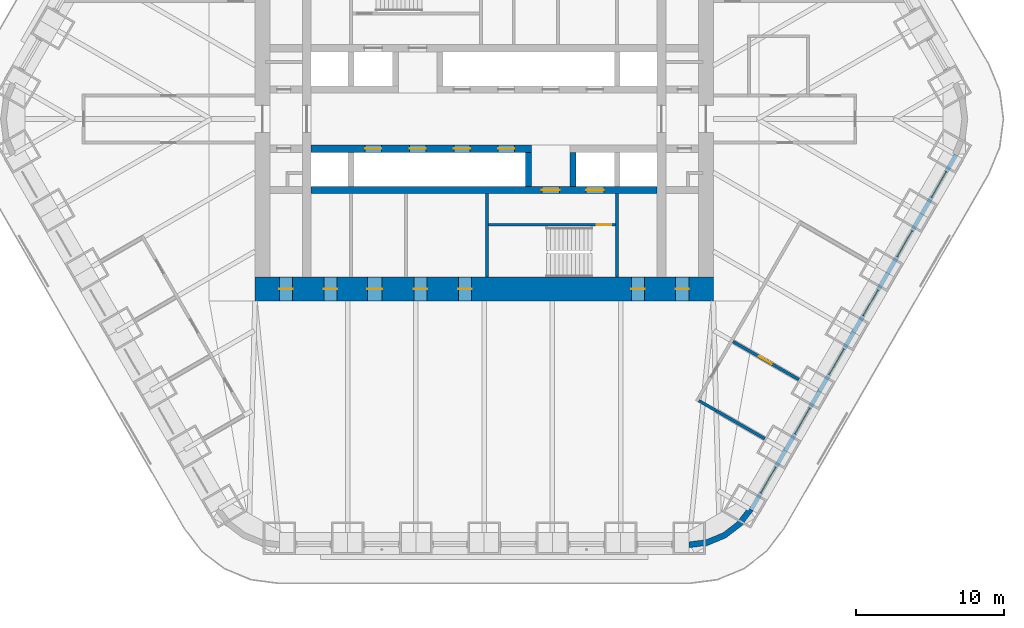
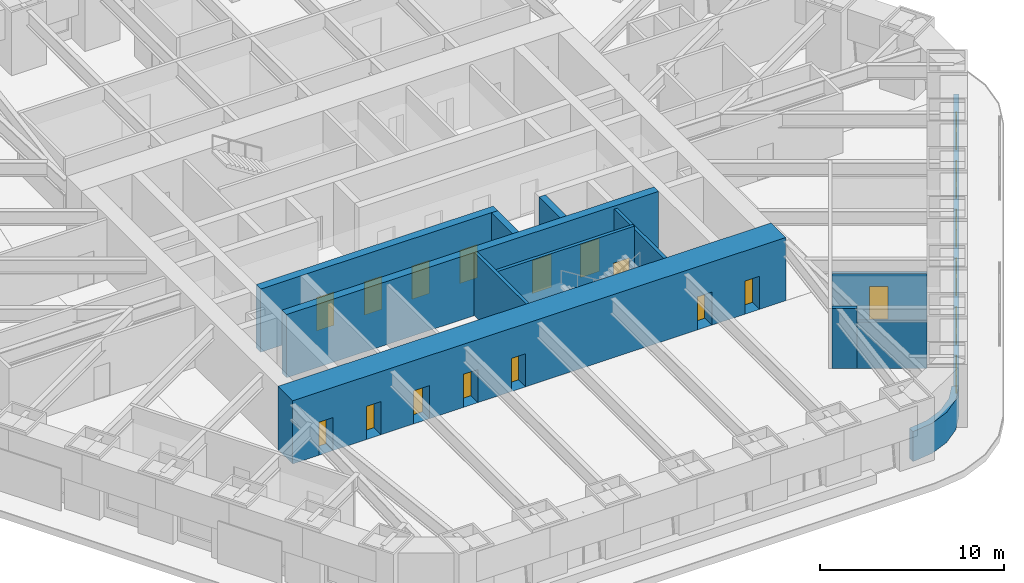
# One storey, part 15 of 20: 15 doors, 13 walls, 6 windows, 21 openings.
"""IFC4 building model written with IfcOpenShell, lengths in metres."""

from ifc_helpers import new_model, si_unit, direction, frame, frame_2d, origin, place, context, subcontext, project, spatial, polyline, rectangle, outline, extrude, material, layer, layer_set, type_object, element, fill, save


model = new_model("IFC4")

# Units and contexts
model_context = context("Model", 3, precision=1e-05, world=origin(), true_north=direction((0.0, 1.0)))
body_context = subcontext(model_context, "Body", "Model", "MODEL_VIEW")
ifc_project = project(units=[si_unit("LENGTHUNIT", "METRE"), si_unit("AREAUNIT", "SQUARE_METRE"), si_unit("VOLUMEUNIT", "CUBIC_METRE"), si_unit("PLANEANGLEUNIT", "RADIAN"), si_unit("MASSUNIT", "GRAM", prefix="KILO")], contexts=[model_context])

# Site, building, storey
site_placement = place(None, origin())
site = spatial("IfcSite", under=ifc_project, at=site_placement, CompositionType="ELEMENT")
building_placement = place(site_placement, origin())
building = spatial("IfcBuilding", under=site, at=building_placement, Name="Tarfa Lantern Tower", CompositionType="ELEMENT")
storey_placement = place(building_placement, frame((0.0, 0.0, 215.5)))
storey = spatial("IfcBuildingStorey", under=building, at=storey_placement, Name="L48", CompositionType="ELEMENT", Elevation=215.5)

# Wall, openings, windows
ifc_material_1 = material(Name="Limestone cladding on blockwork", Category="masonry")
ifc_layer_1 = layer(ifc_material_1, 0.300048828125)
ifc_layer_set_1 = layer_set([ifc_layer_1], Name="EW1 STONE-CLAD WALL 300")
wall_type_1 = type_object("IfcWallType", Name="EW1 STONE-CLAD WALL 300", PredefinedType="SOLIDWALL", material=ifc_layer_set_1)
wall_1_placement = place(storey_placement, frame((18.056640625, -26.425048828125, 0.0), z_axis=(0.0, 0.0, 1.0), x_axis=(0.500001051461, 0.866024796723, 0.0)))
wall_1 = element("IfcWall", 1, at=wall_1_placement, inside=storey, type_object=wall_type_1, Name="Stone wall SE", PredefinedType="SOLIDWALL", context=body_context, shape_type="SweptSolid", body=[
    extrude(rectangle(XDim=27.712890625, YDim=0.300048828125, at=frame_2d((13.8564453125, 0.0))), origin(), (0.0, 0.0, 1.0), 2.0),
])
opening_1_placement = place(wall_1_placement, frame((1.309326171875, 0.0, 0.60009765625)))
opening_1 = element("IfcOpeningElement", 2, at=opening_1_placement, cuts=wall_1, Name="Opening W12", PredefinedType="OPENING", context=body_context, shape_type="SweptSolid", body=[
    extrude(rectangle(XDim=2.0, YDim=1.14990234375, at=frame_2d((1.0, 0.574951171875))), frame((0.0, 0.159912109375, 0.0), z_axis=(0.0, -1.0, 0.0), x_axis=(1.0, 0.0, 0.0)), (0.0, 0.0, 1.0), 0.320068359375),
])
opening_2_placement = place(wall_1_placement, frame((5.92822265625, 0.0, 0.60009765625)))
opening_2 = element("IfcOpeningElement", 3, at=opening_2_placement, cuts=wall_1, Name="Opening W12", PredefinedType="OPENING", context=body_context, shape_type="SweptSolid", body=[
    extrude(rectangle(XDim=2.0, YDim=1.14990234375, at=frame_2d((1.0, 0.574951171875))), frame((0.0, 0.159912109375, 0.0), z_axis=(0.0, -1.0, 0.0), x_axis=(1.0, 0.0, 0.0)), (0.0, 0.0, 1.0), 0.320068359375),
])
opening_3_placement = place(wall_1_placement, frame((10.547119140625, 0.0, 0.60009765625)))
opening_3 = element("IfcOpeningElement", 4, at=opening_3_placement, cuts=wall_1, Name="Opening W12", PredefinedType="OPENING", context=body_context, shape_type="SweptSolid", body=[
    extrude(rectangle(XDim=2.0, YDim=1.14990234375, at=frame_2d((1.0, 0.574951171875))), frame((0.0, 0.159912109375, 0.0), z_axis=(0.0, -1.0, 0.0), x_axis=(1.0, 0.0, 0.0)), (0.0, 0.0, 1.0), 0.320068359375),
])
opening_4_placement = place(wall_1_placement, frame((15.165771484375, 0.0, 0.60009765625)))
opening_4 = element("IfcOpeningElement", 5, at=opening_4_placement, cuts=wall_1, Name="Opening W12", PredefinedType="OPENING", context=body_context, shape_type="SweptSolid", body=[
    extrude(rectangle(XDim=2.0, YDim=1.14990234375, at=frame_2d((1.0, 0.574951171875))), frame((0.0, 0.159912109375, 0.0), z_axis=(0.0, -1.0, 0.0), x_axis=(1.0, 0.0, 0.0)), (0.0, 0.0, 1.0), 0.320068359375),
])
opening_5_placement = place(wall_1_placement, frame((19.78466796875, 0.0, 0.60009765625)))
opening_5 = element("IfcOpeningElement", 6, at=opening_5_placement, cuts=wall_1, Name="Opening W12", PredefinedType="OPENING", context=body_context, shape_type="SweptSolid", body=[
    extrude(rectangle(XDim=2.0, YDim=1.14990234375, at=frame_2d((1.0, 0.574951171875))), frame((0.0, 0.159912109375, 0.0), z_axis=(0.0, -1.0, 0.0), x_axis=(1.0, 0.0, 0.0)), (0.0, 0.0, 1.0), 0.320068359375),
])
opening_6_placement = place(wall_1_placement, frame((24.4033203125, 0.0, 0.60009765625)))
opening_6 = element("IfcOpeningElement", 7, at=opening_6_placement, cuts=wall_1, Name="Opening W12", PredefinedType="OPENING", context=body_context, shape_type="SweptSolid", body=[
    extrude(rectangle(XDim=2.0, YDim=1.14990234375, at=frame_2d((1.0, 0.574951171875))), frame((0.0, 0.159912109375, 0.0), z_axis=(0.0, -1.0, 0.0), x_axis=(1.0, 0.0, 0.0)), (0.0, 0.0, 1.0), 0.320068359375),
])
ifc_material_2 = material(Name="Aluminium frame, double glazed", Category="aluminium")
window_type = type_object("IfcWindowType", Name="W12 FULL-HEIGHT GLAZING 2000x1150", PartitioningType="SINGLE_PANEL", PredefinedType="WINDOW", material=ifc_material_2)
window_1_placement = place(opening_1_placement, origin())
window_1 = element("IfcWindow", 8, at=window_1_placement, inside=storey, type_object=window_type, Name="Window SE 1", OverallHeight=1.14990234375, OverallWidth=2.0, PartitioningType="SINGLE_PANEL", PredefinedType="WINDOW", context=body_context, shape_type="SweptSolid", body=[
    extrude(rectangle(XDim=2.0, YDim=1.14990234375, at=frame_2d((1.0, 0.574951171875))), frame((0.0, 0.030029296875, 0.0), z_axis=(0.0, -1.0, 0.0), x_axis=(1.0, 0.0, 0.0)), (0.0, 0.0, 1.0), 0.06005859375),
])
fill(opening_1, window_1)
window_2_placement = place(opening_2_placement, origin())
window_2 = element("IfcWindow", 9, at=window_2_placement, inside=storey, type_object=window_type, Name="Window SE 2", OverallHeight=1.14990234375, OverallWidth=2.0, PartitioningType="SINGLE_PANEL", PredefinedType="WINDOW", context=body_context, shape_type="SweptSolid", body=[
    extrude(rectangle(XDim=2.0, YDim=1.14990234375, at=frame_2d((1.0, 0.574951171875))), frame((0.0, 0.030029296875, 0.0), z_axis=(0.0, -1.0, 0.0), x_axis=(1.0, 0.0, 0.0)), (0.0, 0.0, 1.0), 0.06005859375),
])
fill(opening_2, window_2)
window_3_placement = place(opening_3_placement, origin())
window_3 = element("IfcWindow", 10, at=window_3_placement, inside=storey, type_object=window_type, Name="Window SE 3", OverallHeight=1.14990234375, OverallWidth=2.0, PartitioningType="SINGLE_PANEL", PredefinedType="WINDOW", context=body_context, shape_type="SweptSolid", body=[
    extrude(rectangle(XDim=2.0, YDim=1.14990234375, at=frame_2d((1.0, 0.574951171875))), frame((0.0, 0.030029296875, 0.0), z_axis=(0.0, -1.0, 0.0), x_axis=(1.0, 0.0, 0.0)), (0.0, 0.0, 1.0), 0.06005859375),
])
fill(opening_3, window_3)
window_4_placement = place(opening_4_placement, origin())
window_4 = element("IfcWindow", 11, at=window_4_placement, inside=storey, type_object=window_type, Name="Window SE 4", OverallHeight=1.14990234375, OverallWidth=2.0, PartitioningType="SINGLE_PANEL", PredefinedType="WINDOW", context=body_context, shape_type="SweptSolid", body=[
    extrude(rectangle(XDim=2.0, YDim=1.14990234375, at=frame_2d((1.0, 0.574951171875))), frame((0.0, 0.030029296875, 0.0), z_axis=(0.0, -1.0, 0.0), x_axis=(1.0, 0.0, 0.0)), (0.0, 0.0, 1.0), 0.06005859375),
])
fill(opening_4, window_4)
window_5_placement = place(opening_5_placement, origin())
window_5 = element("IfcWindow", 12, at=window_5_placement, inside=storey, type_object=window_type, Name="Window SE 5", OverallHeight=1.14990234375, OverallWidth=2.0, PartitioningType="SINGLE_PANEL", PredefinedType="WINDOW", context=body_context, shape_type="SweptSolid", body=[
    extrude(rectangle(XDim=2.0, YDim=1.14990234375, at=frame_2d((1.0, 0.574951171875))), frame((0.0, 0.030029296875, 0.0), z_axis=(0.0, -1.0, 0.0), x_axis=(1.0, 0.0, 0.0)), (0.0, 0.0, 1.0), 0.06005859375),
])
fill(opening_5, window_5)
window_6_placement = place(opening_6_placement, origin())
window_6 = element("IfcWindow", 13, at=window_6_placement, inside=storey, type_object=window_type, Name="Window SE 6", OverallHeight=1.14990234375, OverallWidth=2.0, PartitioningType="SINGLE_PANEL", PredefinedType="WINDOW", context=body_context, shape_type="SweptSolid", body=[
    extrude(rectangle(XDim=2.0, YDim=1.14990234375, at=frame_2d((1.0, 0.574951171875))), frame((0.0, 0.030029296875, 0.0), z_axis=(0.0, -1.0, 0.0), x_axis=(1.0, 0.0, 0.0)), (0.0, 0.0, 1.0), 0.06005859375),
])
fill(opening_6, window_6)

# Walls
ifc_layer_2 = layer(ifc_material_1, 0.39990234375)
ifc_layer_set_2 = layer_set([ifc_layer_2], Name="EW2 CURVED STONE CORNER 400")
wall_type_2 = type_object("IfcWallType", Name="EW2 CURVED STONE CORNER 400", PredefinedType="SOLIDWALL", material=ifc_layer_set_2)
wall_2_placement = place(storey_placement, origin())
element("IfcWall", 14, at=wall_2_placement, inside=storey, type_object=wall_type_2, Name="Stone corner S-SE", PredefinedType="SOLIDWALL", context=body_context, shape_type="SweptSolid", body=[
    extrude(outline(polyline([(13.8564453125, -29.0), (15.150390625, -28.82958984375), (16.3564453125, -28.330078125), (17.391845703125, -27.53564453125), (18.1865234375, -26.5), (17.840087890625, -26.300048828125), (17.109130859375, -27.252685546875), (16.156494140625, -27.983642578125), (15.046875, -28.443359375), (13.8564453125, -28.60009765625), (13.8564453125, -29.0)])), origin(), (0.0, 0.0, 1.0), 2.0),
])
ifc_material_3 = material(Name="Concrete blockwork", Category="masonry")
ifc_layer_3 = layer(ifc_material_3, 0.199951171875)
ifc_layer_set_3 = layer_set([ifc_layer_3], Name="IW1 BLOCKWORK PARTITION 200 EI 120")
wall_type_3 = type_object("IfcWallType", Name="IW1 BLOCKWORK PARTITION 200 EI 120", PredefinedType="PARTITIONING", material=ifc_layer_set_3)
wall_3_placement = place(storey_placement, frame((9.0, -5.050048828125, 0.0), z_axis=(0.0, 0.0, 1.0), x_axis=(0.0, -1.0, 0.0)))
element("IfcWall", 15, at=wall_3_placement, inside=storey, type_object=wall_type_3, Name="Core partition", PredefinedType="PARTITIONING", context=body_context, shape_type="SweptSolid", body=[
    extrude(rectangle(XDim=5.64990234375, YDim=0.199951171875, at=frame_2d((2.824951171875, 0.0))), origin(), (0.0, 0.0, 1.0), 4.0),
])
ifc_material_4 = material(Name="Gypsum board on steel studs", Category="steel")
ifc_layer_4 = layer(ifc_material_4, 0.2099609375)
ifc_layer_set_4 = layer_set([ifc_layer_4], Name="IW2 ACOUSTIC PARTITION 200")
wall_type_4 = type_object("IfcWallType", Name="IW2 ACOUSTIC PARTITION 200", PredefinedType="PARTITIONING", material=ifc_layer_set_4)
wall_4_placement = place(storey_placement, frame((14.520263671875, -19.050048828125, 0.0), z_axis=(0.0, 0.0, 1.0), x_axis=(0.866041729639, -0.499971721724, 0.0)))
element("IfcWall", 16, at=wall_4_placement, inside=storey, type_object=wall_type_4, Name="Partition", PredefinedType="PARTITIONING", context=body_context, shape_type="SweptSolid", body=[
    extrude(rectangle(XDim=1.3564453125, YDim=0.199951171875, at=frame_2d((0.67822265625, 0.0))), origin(), (0.0, 0.0, 1.0), 4.0),
])
wall_5_placement = place(storey_placement, frame((15.695068359375, -19.728271484375, 0.0), z_axis=(0.0, 0.0, 1.0), x_axis=(0.866036622013, -0.499980568954, 0.0)))
element("IfcWall", 17, at=wall_5_placement, inside=storey, type_object=wall_type_4, Name="Partition", PredefinedType="PARTITIONING", context=body_context, shape_type="SweptSolid", body=[
    extrude(rectangle(XDim=3.793701171875, YDim=0.199951171875, at=frame_2d((1.89697265625, 0.0))), origin(), (0.0, 0.0, 1.0), 3.08154296875),
])

# Wall, opening, door
wall_6_placement = place(storey_placement, frame((16.829833984375, -15.050048828125, 0.0), z_axis=(0.0, 0.0, 1.0), x_axis=(0.866026116456, -0.499998765615, 0.0)))
wall_6 = element("IfcWall", 18, at=wall_6_placement, inside=storey, type_object=wall_type_4, Name="Partition", PredefinedType="PARTITIONING", context=body_context, shape_type="SweptSolid", body=[
    extrude(rectangle(XDim=5.14990234375, YDim=0.199951171875, at=frame_2d((2.574951171875, 0.0))), origin(), (0.0, 0.0, 1.0), 3.08154296875),
])
opening_7_placement = place(wall_6_placement, frame((2.02490234375, 0.0, 0.0)))
opening_7 = element("IfcOpeningElement", 19, at=opening_7_placement, cuts=wall_6, Name="Opening D29", PredefinedType="OPENING", context=body_context, shape_type="SweptSolid", body=[
    extrude(rectangle(XDim=1.0, YDim=2.199951171875, at=frame_2d((0.5, 1.10009765625))), frame((0.0, 0.10986328125, 0.0), z_axis=(0.0, -1.0, 0.0), x_axis=(1.0, 0.0, 0.0)), (0.0, 0.0, 1.0), 0.219970703125),
])
ifc_material_5 = material(Name="Timber door", Category="wood")
door_type_1 = type_object("IfcDoorType", Name="DR1 ROOM DOOR 1000x2200", OperationType="SINGLE_SWING_LEFT", PredefinedType="DOOR", material=ifc_material_5)
door_1_placement = place(opening_7_placement, frame((1.0, 0.0, 0.0), z_axis=(0.0, 0.0, 1.0), x_axis=(-1.0, 0.0, 0.0)))
door_1 = element("IfcDoor", 20, at=door_1_placement, inside=storey, type_object=door_type_1, Name="Majlis door", OperationType="SINGLE_SWING_LEFT", OverallHeight=2.199951171875, OverallWidth=1.0, PredefinedType="DOOR", context=body_context, shape_type="SweptSolid", body=[
    extrude(rectangle(XDim=1.0, YDim=2.199951171875, at=frame_2d((0.5, 1.10009765625))), frame((0.0, 0.02490234375, 0.0), z_axis=(0.0, -1.0, 0.0), x_axis=(1.0, 0.0, 0.0)), (0.0, 0.0, 1.0), 0.050048828125),
])
fill(opening_7, door_1)

# Wall
ifc_material_6 = material(Name="Concrete C80/95", Category="concrete")
ifc_layer_5 = layer(ifc_material_6, 0.199951171875)
ifc_layer_set_5 = layer_set([ifc_layer_5], Name="SW12 CORE WALL 200")
wall_type_5 = type_object("IfcWallType", Name="SW12 CORE WALL 200", PredefinedType="SHEAR", material=ifc_layer_set_5)
wall_7_placement = place(storey_placement, frame((0.199951171875, -5.050048828125, 0.0), z_axis=(0.0, 0.0, 1.0), x_axis=(0.0, -1.0, 0.0)))
element("IfcWall", 21, at=wall_7_placement, inside=storey, type_object=wall_type_5, Name="Core wall stair shaft S", PredefinedType="SHEAR", context=body_context, shape_type="SweptSolid", body=[
    extrude(rectangle(XDim=5.64990234375, YDim=0.199951171875, at=frame_2d((2.824951171875, 0.0))), origin(), (0.0, 0.0, 1.0), 4.199951171875),
])

# Wall, opening, door
wall_8_placement = place(storey_placement, frame((8.89990234375, -7.14990234375, 0.0), z_axis=(0.0, 0.0, 1.0), x_axis=(-1.0, 0.0, 0.0)))
wall_8 = element("IfcWall", 22, at=wall_8_placement, inside=storey, type_object=wall_type_5, Name="Core wall stair partition S", PredefinedType="SHEAR", context=body_context, shape_type="SweptSolid", body=[
    extrude(rectangle(XDim=8.599853515625, YDim=0.199951171875, at=frame_2d((4.2998046875, 0.0))), origin(), (0.0, 0.0, 1.0), 4.199951171875),
])
opening_8_placement = place(wall_8_placement, frame((0.300048828125, 0.0, 0.0)))
opening_8 = element("IfcOpeningElement", 23, at=opening_8_placement, cuts=wall_8, Name="Opening D24", PredefinedType="OPENING", context=body_context, shape_type="SweptSolid", body=[
    extrude(rectangle(XDim=1.0, YDim=2.199951171875, at=frame_2d((0.5, 1.10009765625))), frame((0.0, 0.10986328125, 0.0), z_axis=(0.0, -1.0, 0.0), x_axis=(1.0, 0.0, 0.0)), (0.0, 0.0, 1.0), 0.219970703125),
])
ifc_material_7 = material(Name="Steel fire door", Category="steel")
door_type_2 = type_object("IfcDoorType", Name="DF2 STAIR DOOR 1000x2200", OperationType="SINGLE_SWING_LEFT", PredefinedType="DOOR", material=ifc_material_7)
door_2_placement = place(opening_8_placement, origin())
door_2 = element("IfcDoor", 24, at=door_2_placement, inside=storey, type_object=door_type_2, Name="Stair door", OperationType="SINGLE_SWING_RIGHT", OverallHeight=2.199951171875, OverallWidth=1.0, PredefinedType="DOOR", context=body_context, shape_type="SweptSolid", body=[
    extrude(rectangle(XDim=1.0, YDim=2.199951171875, at=frame_2d((0.5, 1.10009765625))), frame((0.0, 0.02490234375, 0.0), z_axis=(0.0, -1.0, 0.0), x_axis=(1.0, 0.0, 0.0)), (0.0, 0.0, 1.0), 0.050048828125),
])
fill(opening_8, door_2)

# Wall, openings, doors
ifc_layer_6 = layer(ifc_material_6, 0.5)
ifc_layer_set_6 = layer_set([ifc_layer_6], Name="SW5 CORE WALL 500")
wall_type_6 = type_object("IfcWallType", Name="SW5 CORE WALL 500", PredefinedType="SHEAR", material=ifc_layer_set_6)
wall_9_placement = place(storey_placement, frame((3.199951171875, -2.0, 0.0), z_axis=(0.0, 0.0, 1.0), x_axis=(-1.0, 0.0, 0.0)))
wall_9 = element("IfcWall", 25, at=wall_9_placement, inside=storey, type_object=wall_type_6, Name="Core wall lobby east S", PredefinedType="SHEAR", context=body_context, shape_type="SweptSolid", body=[
    extrude(rectangle(XDim=14.89990234375, YDim=0.5, at=frame_2d((7.449951171875, 0.0))), origin(), (0.0, 0.0, 1.0), 4.199951171875),
])
opening_9_placement = place(wall_9_placement, frame((1.14990234375, 0.0, 0.0)))
opening_9 = element("IfcOpeningElement", 26, at=opening_9_placement, cuts=wall_9, Name="Opening LD07", PredefinedType="OPENING", context=body_context, shape_type="SweptSolid", body=[
    extrude(rectangle(XDim=1.10009765625, YDim=2.199951171875, at=frame_2d((0.550048828125, 1.10009765625))), frame((0.0, 0.260009765625, 0.0), z_axis=(0.0, -1.0, 0.0), x_axis=(1.0, 0.0, 0.0)), (0.0, 0.0, 1.0), 0.52001953125),
])
opening_10_placement = place(wall_9_placement, frame((4.14990234375, 0.0, 0.0)))
opening_10 = element("IfcOpeningElement", 27, at=opening_10_placement, cuts=wall_9, Name="Opening LD08", PredefinedType="OPENING", context=body_context, shape_type="SweptSolid", body=[
    extrude(rectangle(XDim=1.10009765625, YDim=2.199951171875, at=frame_2d((0.550048828125, 1.10009765625))), frame((0.0, 0.260009765625, 0.0), z_axis=(0.0, -1.0, 0.0), x_axis=(1.0, 0.0, 0.0)), (0.0, 0.0, 1.0), 0.52001953125),
])
opening_11_placement = place(wall_9_placement, frame((7.14990234375, 0.0, 0.0)))
opening_11 = element("IfcOpeningElement", 28, at=opening_11_placement, cuts=wall_9, Name="Opening LD09", PredefinedType="OPENING", context=body_context, shape_type="SweptSolid", body=[
    extrude(rectangle(XDim=1.10009765625, YDim=2.199951171875, at=frame_2d((0.550048828125, 1.10009765625))), frame((0.0, 0.260009765625, 0.0), z_axis=(0.0, -1.0, 0.0), x_axis=(1.0, 0.0, 0.0)), (0.0, 0.0, 1.0), 0.52001953125),
])
opening_12_placement = place(wall_9_placement, frame((10.14990234375, 0.0, 0.0)))
opening_12 = element("IfcOpeningElement", 29, at=opening_12_placement, cuts=wall_9, Name="Opening LD10", PredefinedType="OPENING", context=body_context, shape_type="SweptSolid", body=[
    extrude(rectangle(XDim=1.10009765625, YDim=2.199951171875, at=frame_2d((0.550048828125, 1.10009765625))), frame((0.0, 0.260009765625, 0.0), z_axis=(0.0, -1.0, 0.0), x_axis=(1.0, 0.0, 0.0)), (0.0, 0.0, 1.0), 0.52001953125),
])
ifc_material_8 = material(Name="Stainless steel lift door", Category="steel")
door_type_3 = type_object("IfcDoorType", Name="LD2 LIFT LANDING DOOR 1100x2200", OperationType="SLIDING_TO_LEFT", PredefinedType="DOOR", material=ifc_material_8)
door_3_placement = place(opening_9_placement, frame((1.10009765625, 0.0, 0.0), z_axis=(0.0, 0.0, 1.0), x_axis=(-1.0, 0.0, 0.0)))
door_3 = element("IfcDoor", 30, at=door_3_placement, inside=storey, type_object=door_type_3, Name="Landing door PC5", OperationType="SLIDING_TO_LEFT", OverallHeight=2.199951171875, OverallWidth=1.10009765625, PredefinedType="DOOR", context=body_context, shape_type="SweptSolid", body=[
    extrude(rectangle(XDim=1.10009765625, YDim=2.199951171875, at=frame_2d((0.550048828125, 1.10009765625))), frame((0.0, 0.02490234375, 0.0), z_axis=(0.0, -1.0, 0.0), x_axis=(1.0, 0.0, 0.0)), (0.0, 0.0, 1.0), 0.050048828125),
])
fill(opening_9, door_3)
door_4_placement = place(opening_10_placement, frame((1.10009765625, 0.0, 0.0), z_axis=(0.0, 0.0, 1.0), x_axis=(-1.0, 0.0, 0.0)))
door_4 = element("IfcDoor", 31, at=door_4_placement, inside=storey, type_object=door_type_3, Name="Landing door PC6", OperationType="SLIDING_TO_LEFT", OverallHeight=2.199951171875, OverallWidth=1.10009765625, PredefinedType="DOOR", context=body_context, shape_type="SweptSolid", body=[
    extrude(rectangle(XDim=1.10009765625, YDim=2.199951171875, at=frame_2d((0.550048828125, 1.10009765625))), frame((0.0, 0.02490234375, 0.0), z_axis=(0.0, -1.0, 0.0), x_axis=(1.0, 0.0, 0.0)), (0.0, 0.0, 1.0), 0.050048828125),
])
fill(opening_10, door_4)
door_5_placement = place(opening_11_placement, frame((1.10009765625, 0.0, 0.0), z_axis=(0.0, 0.0, 1.0), x_axis=(-1.0, 0.0, 0.0)))
door_5 = element("IfcDoor", 32, at=door_5_placement, inside=storey, type_object=door_type_3, Name="Landing door PC7", OperationType="SLIDING_TO_LEFT", OverallHeight=2.199951171875, OverallWidth=1.10009765625, PredefinedType="DOOR", context=body_context, shape_type="SweptSolid", body=[
    extrude(rectangle(XDim=1.10009765625, YDim=2.199951171875, at=frame_2d((0.550048828125, 1.10009765625))), frame((0.0, 0.02490234375, 0.0), z_axis=(0.0, -1.0, 0.0), x_axis=(1.0, 0.0, 0.0)), (0.0, 0.0, 1.0), 0.050048828125),
])
fill(opening_11, door_5)
door_6_placement = place(opening_12_placement, frame((1.10009765625, 0.0, 0.0), z_axis=(0.0, 0.0, 1.0), x_axis=(-1.0, 0.0, 0.0)))
door_6 = element("IfcDoor", 33, at=door_6_placement, inside=storey, type_object=door_type_3, Name="Landing door PC8", OperationType="SLIDING_TO_LEFT", OverallHeight=2.199951171875, OverallWidth=1.10009765625, PredefinedType="DOOR", context=body_context, shape_type="SweptSolid", body=[
    extrude(rectangle(XDim=1.10009765625, YDim=2.199951171875, at=frame_2d((0.550048828125, 1.10009765625))), frame((0.0, 0.02490234375, 0.0), z_axis=(0.0, -1.0, 0.0), x_axis=(1.0, 0.0, 0.0)), (0.0, 0.0, 1.0), 0.050048828125),
])
fill(opening_12, door_6)

wall_10_placement = place(storey_placement, frame((11.699951171875, -4.800048828125, 0.0), z_axis=(0.0, 0.0, 1.0), x_axis=(-1.0, 0.0, 0.0)))
wall_10 = element("IfcWall", 34, at=wall_10_placement, inside=storey, type_object=wall_type_6, Name="Core wall rear S", PredefinedType="SHEAR", context=body_context, shape_type="SweptSolid", body=[
    extrude(rectangle(XDim=23.39990234375, YDim=0.5, at=frame_2d((11.699951171875, 0.0))), origin(), (0.0, 0.0, 1.0), 4.199951171875),
])
opening_13_placement = place(wall_10_placement, frame((6.60009765625, 0.0, 0.0)))
opening_13 = element("IfcOpeningElement", 35, at=opening_13_placement, cuts=wall_10, Name="Opening D10", PredefinedType="OPENING", context=body_context, shape_type="SweptSolid", body=[
    extrude(rectangle(XDim=1.199951171875, YDim=2.199951171875, at=frame_2d((0.60009765625, 1.10009765625))), frame((0.0, 0.260009765625, 0.0), z_axis=(0.0, -1.0, 0.0), x_axis=(1.0, 0.0, 0.0)), (0.0, 0.0, 1.0), 0.52001953125),
])
opening_14_placement = place(wall_10_placement, frame((3.60009765625, 0.0, 0.0)))
opening_14 = element("IfcOpeningElement", 36, at=opening_14_placement, cuts=wall_10, Name="Opening LD02", PredefinedType="OPENING", context=body_context, shape_type="SweptSolid", body=[
    extrude(rectangle(XDim=1.199951171875, YDim=2.199951171875, at=frame_2d((0.60009765625, 1.10009765625))), frame((0.0, 0.260009765625, 0.0), z_axis=(0.0, -1.0, 0.0), x_axis=(1.0, 0.0, 0.0)), (0.0, 0.0, 1.0), 0.52001953125),
])
door_type_4 = type_object("IfcDoorType", Name="DF1 FIREFIGHTING LOBBY DOOR 1200x2200", OperationType="SINGLE_SWING_LEFT", PredefinedType="DOOR", material=ifc_material_7)
door_7_placement = place(opening_13_placement, origin())
door_7 = element("IfcDoor", 37, at=door_7_placement, inside=storey, type_object=door_type_4, Name="Firefighting lobby door", OperationType="SINGLE_SWING_LEFT", OverallHeight=2.199951171875, OverallWidth=1.199951171875, PredefinedType="DOOR", context=body_context, shape_type="SweptSolid", body=[
    extrude(rectangle(XDim=1.199951171875, YDim=2.199951171875, at=frame_2d((0.60009765625, 1.10009765625))), frame((0.0, 0.02490234375, 0.0), z_axis=(0.0, -1.0, 0.0), x_axis=(1.0, 0.0, 0.0)), (0.0, 0.0, 1.0), 0.050048828125),
])
fill(opening_13, door_7)
door_type_5 = type_object("IfcDoorType", Name="LD1 LIFT LANDING DOOR 1200x2200", OperationType="SLIDING_TO_LEFT", PredefinedType="DOOR", material=ifc_material_8)
door_8_placement = place(opening_14_placement, origin())
door_8 = element("IfcDoor", 38, at=door_8_placement, inside=storey, type_object=door_type_5, Name="Landing door FL2", OperationType="SLIDING_TO_LEFT", OverallHeight=2.199951171875, OverallWidth=1.199951171875, PredefinedType="DOOR", context=body_context, shape_type="SweptSolid", body=[
    extrude(rectangle(XDim=1.199951171875, YDim=2.199951171875, at=frame_2d((0.60009765625, 1.10009765625))), frame((0.0, 0.02490234375, 0.0), z_axis=(0.0, -1.0, 0.0), x_axis=(1.0, 0.0, 0.0)), (0.0, 0.0, 1.0), 0.050048828125),
])
fill(opening_14, door_8)

# Walls
ifc_layer_7 = layer(ifc_material_6, 0.39990234375)
ifc_layer_set_7 = layer_set([ifc_layer_7], Name="SW6 CORE WALL 400")
wall_type_7 = type_object("IfcWallType", Name="SW6 CORE WALL 400", PredefinedType="SHEAR", material=ifc_layer_set_7)
for number, where, z_axis, x_axis, name in (
    (39, (6.0, -2.25, 0.0), (0.0, 0.0, 1.0), (0.0, -1.0, 0.0), "Core wall divider S"),
    (40, (3.0, -2.25, 0.0), (0.0, 0.0, 1.0), (0.0, -1.0, 0.0), "Core wall divider S"),
):
    element("IfcWall", number, at=place(storey_placement, frame(where, z_axis=z_axis, x_axis=x_axis)), inside=storey, type_object=wall_type_7, Name=name, PredefinedType="SHEAR", context=body_context, shape_type="SweptSolid", body=[
        extrude(rectangle(XDim=2.300048828125, YDim=0.39990234375, at=frame_2d((1.14990234375, 0.0))), origin(), (0.0, 0.0, 1.0), 4.199951171875),
    ])

# Wall, openings, doors
ifc_layer_8 = layer(ifc_material_6, 1.60009765625)
ifc_layer_set_8 = layer_set([ifc_layer_8], Name="SW7 CORE WALL 1600")
wall_type_8 = type_object("IfcWallType", Name="SW7 CORE WALL 1600", PredefinedType="SHEAR", material=ifc_layer_set_8)
wall_11_placement = place(storey_placement, frame((15.5, -11.5, 0.0), z_axis=(0.0, 0.0, 1.0), x_axis=(-1.0, 0.0, 0.0)))
wall_11 = element("IfcWall", 41, at=wall_11_placement, inside=storey, type_object=wall_type_8, Name="Core wall S", PredefinedType="SHEAR", context=body_context, shape_type="SweptSolid", body=[
    extrude(rectangle(XDim=31.0, YDim=1.60009765625, at=frame_2d((15.5, 0.0))), origin(), (0.0, 0.0, 1.0), 4.199951171875),
])
opening_15_placement = place(wall_11_placement, frame((16.35009765625, 0.0, 0.0)))
opening_15 = element("IfcOpeningElement", 42, at=opening_15_placement, cuts=wall_11, Name="Opening D18", PredefinedType="OPENING", context=body_context, shape_type="SweptSolid", body=[
    extrude(rectangle(XDim=0.89990234375, YDim=2.199951171875, at=frame_2d((0.449951171875, 1.10009765625))), frame((0.0, 0.81005859375, 0.0), z_axis=(0.0, -1.0, 0.0), x_axis=(1.0, 0.0, 0.0)), (0.0, 0.0, 1.0), 1.6201171875),
])
opening_16_placement = place(wall_11_placement, frame((19.35009765625, 0.0, 0.0)))
opening_16 = element("IfcOpeningElement", 43, at=opening_16_placement, cuts=wall_11, Name="Opening D20", PredefinedType="OPENING", context=body_context, shape_type="SweptSolid", body=[
    extrude(rectangle(XDim=0.89990234375, YDim=2.199951171875, at=frame_2d((0.449951171875, 1.10009765625))), frame((0.0, 0.81005859375, 0.0), z_axis=(0.0, -1.0, 0.0), x_axis=(1.0, 0.0, 0.0)), (0.0, 0.0, 1.0), 1.6201171875),
])
opening_17_placement = place(wall_11_placement, frame((22.39990234375, 0.0, 0.0)))
opening_17 = element("IfcOpeningElement", 44, at=opening_17_placement, cuts=wall_11, Name="Opening D22", PredefinedType="OPENING", context=body_context, shape_type="SweptSolid", body=[
    extrude(rectangle(XDim=1.0, YDim=2.199951171875, at=frame_2d((0.5, 1.10009765625))), frame((0.0, 0.81005859375, 0.0), z_axis=(0.0, -1.0, 0.0), x_axis=(1.0, 0.0, 0.0)), (0.0, 0.0, 1.0), 1.6201171875),
])
opening_18_placement = place(wall_11_placement, frame((1.64990234375, 0.0, 0.0)))
opening_18 = element("IfcOpeningElement", 45, at=opening_18_placement, cuts=wall_11, Name="Opening D08", PredefinedType="OPENING", context=body_context, shape_type="SweptSolid", body=[
    extrude(rectangle(XDim=0.89990234375, YDim=2.199951171875, at=frame_2d((0.449951171875, 1.10009765625))), frame((0.0, 0.81005859375, 0.0), z_axis=(0.0, -1.0, 0.0), x_axis=(1.0, 0.0, 0.0)), (0.0, 0.0, 1.0), 1.6201171875),
])
opening_19_placement = place(wall_11_placement, frame((4.64990234375, 0.0, 0.0)))
opening_19 = element("IfcOpeningElement", 46, at=opening_19_placement, cuts=wall_11, Name="Opening D06", PredefinedType="OPENING", context=body_context, shape_type="SweptSolid", body=[
    extrude(rectangle(XDim=0.89990234375, YDim=2.199951171875, at=frame_2d((0.449951171875, 1.10009765625))), frame((0.0, 0.81005859375, 0.0), z_axis=(0.0, -1.0, 0.0), x_axis=(1.0, 0.0, 0.0)), (0.0, 0.0, 1.0), 1.6201171875),
])
opening_20_placement = place(wall_11_placement, frame((25.449951171875, 0.0, 0.0)))
opening_20 = element("IfcOpeningElement", 47, at=opening_20_placement, cuts=wall_11, Name="Opening D04", PredefinedType="OPENING", context=body_context, shape_type="SweptSolid", body=[
    extrude(rectangle(XDim=0.89990234375, YDim=2.199951171875, at=frame_2d((0.449951171875, 1.10009765625))), frame((0.0, 0.81005859375, 0.0), z_axis=(0.0, -1.0, 0.0), x_axis=(1.0, 0.0, 0.0)), (0.0, 0.0, 1.0), 1.6201171875),
])
opening_21_placement = place(wall_11_placement, frame((28.449951171875, 0.0, 0.0)))
opening_21 = element("IfcOpeningElement", 48, at=opening_21_placement, cuts=wall_11, Name="Opening D02", PredefinedType="OPENING", context=body_context, shape_type="SweptSolid", body=[
    extrude(rectangle(XDim=0.89990234375, YDim=2.199951171875, at=frame_2d((0.449951171875, 1.10009765625))), frame((0.0, 0.81005859375, 0.0), z_axis=(0.0, -1.0, 0.0), x_axis=(1.0, 0.0, 0.0)), (0.0, 0.0, 1.0), 1.6201171875),
])
door_type_6 = type_object("IfcDoorType", Name="DF3 CORE ROOM DOOR 900x2200", OperationType="SINGLE_SWING_LEFT", PredefinedType="DOOR", material=ifc_material_7)
door_9_placement = place(opening_15_placement, frame((0.89990234375, 0.0, 0.0), z_axis=(0.0, 0.0, 1.0), x_axis=(-1.0, 0.0, 0.0)))
door_9 = element("IfcDoor", 49, at=door_9_placement, inside=storey, type_object=door_type_6, Name="Core door", OperationType="SINGLE_SWING_LEFT", OverallHeight=2.199951171875, OverallWidth=0.89990234375, PredefinedType="DOOR", context=body_context, shape_type="SweptSolid", body=[
    extrude(rectangle(XDim=0.89990234375, YDim=2.199951171875, at=frame_2d((0.449951171875, 1.10009765625))), frame((0.0, 0.02490234375, 0.0), z_axis=(0.0, -1.0, 0.0), x_axis=(1.0, 0.0, 0.0)), (0.0, 0.0, 1.0), 0.050048828125),
])
fill(opening_15, door_9)
door_10_placement = place(opening_16_placement, frame((0.89990234375, 0.0, 0.0), z_axis=(0.0, 0.0, 1.0), x_axis=(-1.0, 0.0, 0.0)))
door_10 = element("IfcDoor", 50, at=door_10_placement, inside=storey, type_object=door_type_6, Name="Core door", OperationType="SINGLE_SWING_RIGHT", OverallHeight=2.199951171875, OverallWidth=0.89990234375, PredefinedType="DOOR", context=body_context, shape_type="SweptSolid", body=[
    extrude(rectangle(XDim=0.89990234375, YDim=2.199951171875, at=frame_2d((0.449951171875, 1.10009765625))), frame((0.0, 0.02490234375, 0.0), z_axis=(0.0, -1.0, 0.0), x_axis=(1.0, 0.0, 0.0)), (0.0, 0.0, 1.0), 0.050048828125),
])
fill(opening_16, door_10)
door_type_7 = type_object("IfcDoorType", Name="DF4 CORE ROOM DOOR 1000x2200", OperationType="SINGLE_SWING_LEFT", PredefinedType="DOOR", material=ifc_material_7)
door_11_placement = place(opening_17_placement, frame((1.0, 0.0, 0.0), z_axis=(0.0, 0.0, 1.0), x_axis=(-1.0, 0.0, 0.0)))
door_11 = element("IfcDoor", 51, at=door_11_placement, inside=storey, type_object=door_type_7, Name="Core door", OperationType="SINGLE_SWING_RIGHT", OverallHeight=2.199951171875, OverallWidth=1.0, PredefinedType="DOOR", context=body_context, shape_type="SweptSolid", body=[
    extrude(rectangle(XDim=1.0, YDim=2.199951171875, at=frame_2d((0.5, 1.10009765625))), frame((0.0, 0.02490234375, 0.0), z_axis=(0.0, -1.0, 0.0), x_axis=(1.0, 0.0, 0.0)), (0.0, 0.0, 1.0), 0.050048828125),
])
fill(opening_17, door_11)
door_type_8 = type_object("IfcDoorType", Name="DF5 RISER DOOR 900x2200", OperationType="SINGLE_SWING_LEFT", PredefinedType="DOOR", material=ifc_material_7)
door_12_placement = place(opening_18_placement, frame((0.89990234375, 0.0, 0.0), z_axis=(0.0, 0.0, 1.0), x_axis=(-1.0, 0.0, 0.0)))
door_12 = element("IfcDoor", 52, at=door_12_placement, inside=storey, type_object=door_type_8, Name="Riser door", OperationType="SINGLE_SWING_LEFT", OverallHeight=2.199951171875, OverallWidth=0.89990234375, PredefinedType="DOOR", context=body_context, shape_type="SweptSolid", body=[
    extrude(rectangle(XDim=0.89990234375, YDim=2.199951171875, at=frame_2d((0.449951171875, 1.10009765625))), frame((0.0, 0.02490234375, 0.0), z_axis=(0.0, -1.0, 0.0), x_axis=(1.0, 0.0, 0.0)), (0.0, 0.0, 1.0), 0.050048828125),
])
fill(opening_18, door_12)
door_13_placement = place(opening_19_placement, frame((0.89990234375, 0.0, 0.0), z_axis=(0.0, 0.0, 1.0), x_axis=(-1.0, 0.0, 0.0)))
door_13 = element("IfcDoor", 53, at=door_13_placement, inside=storey, type_object=door_type_8, Name="Riser door", OperationType="SINGLE_SWING_LEFT", OverallHeight=2.199951171875, OverallWidth=0.89990234375, PredefinedType="DOOR", context=body_context, shape_type="SweptSolid", body=[
    extrude(rectangle(XDim=0.89990234375, YDim=2.199951171875, at=frame_2d((0.449951171875, 1.10009765625))), frame((0.0, 0.02490234375, 0.0), z_axis=(0.0, -1.0, 0.0), x_axis=(1.0, 0.0, 0.0)), (0.0, 0.0, 1.0), 0.050048828125),
])
fill(opening_19, door_13)
door_14_placement = place(opening_20_placement, frame((0.89990234375, 0.0, 0.0), z_axis=(0.0, 0.0, 1.0), x_axis=(-1.0, 0.0, 0.0)))
door_14 = element("IfcDoor", 54, at=door_14_placement, inside=storey, type_object=door_type_8, Name="Riser door", OperationType="SINGLE_SWING_RIGHT", OverallHeight=2.199951171875, OverallWidth=0.89990234375, PredefinedType="DOOR", context=body_context, shape_type="SweptSolid", body=[
    extrude(rectangle(XDim=0.89990234375, YDim=2.199951171875, at=frame_2d((0.449951171875, 1.10009765625))), frame((0.0, 0.02490234375, 0.0), z_axis=(0.0, -1.0, 0.0), x_axis=(1.0, 0.0, 0.0)), (0.0, 0.0, 1.0), 0.050048828125),
])
fill(opening_20, door_14)
door_15_placement = place(opening_21_placement, frame((0.89990234375, 0.0, 0.0), z_axis=(0.0, 0.0, 1.0), x_axis=(-1.0, 0.0, 0.0)))
door_15 = element("IfcDoor", 55, at=door_15_placement, inside=storey, type_object=door_type_8, Name="Riser door", OperationType="SINGLE_SWING_RIGHT", OverallHeight=2.199951171875, OverallWidth=0.89990234375, PredefinedType="DOOR", context=body_context, shape_type="SweptSolid", body=[
    extrude(rectangle(XDim=0.89990234375, YDim=2.199951171875, at=frame_2d((0.449951171875, 1.10009765625))), frame((0.0, 0.02490234375, 0.0), z_axis=(0.0, -1.0, 0.0), x_axis=(1.0, 0.0, 0.0)), (0.0, 0.0, 1.0), 0.050048828125),
])
fill(opening_21, door_15)

save(model, "model.ifc")
